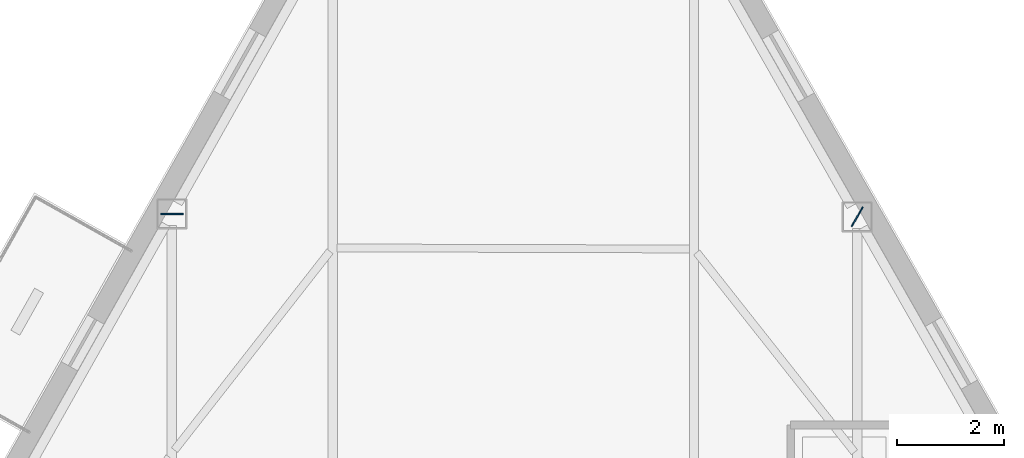
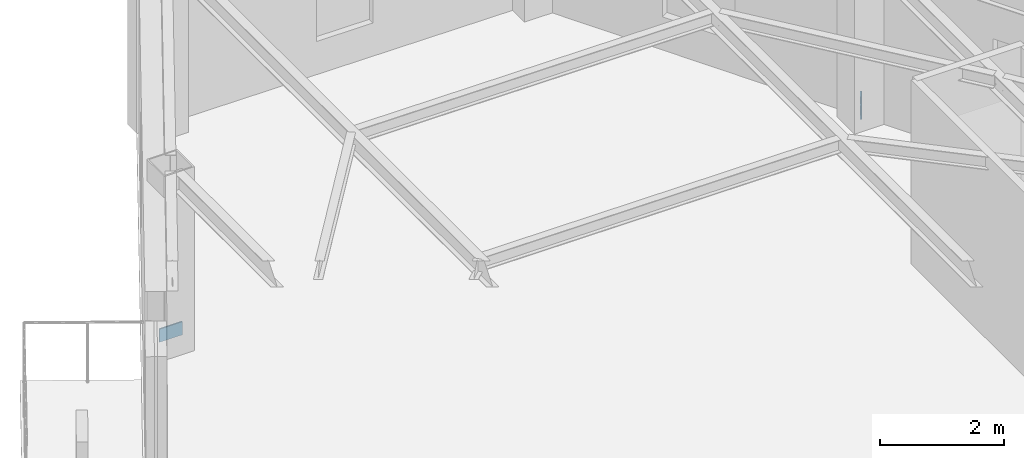
# One storey, part 6 of 10: 2 plates.
"""IFC4 building model written with IfcOpenShell, lengths in metres."""

from ifc_helpers import new_model, si_unit, direction, frame, origin, origin_2d, place, context, subcontext, project, spatial, rectangle, extrude, material, layer, layer_set, type_object, element, save


model = new_model("IFC4")

# Units and contexts
model_context = context("Model", 3, precision=1e-05, world=origin(), true_north=direction((0.0, 1.0)))
body_context = subcontext(model_context, "Body", "Model", "MODEL_VIEW")
ifc_project = project(units=[si_unit("LENGTHUNIT", "METRE"), si_unit("AREAUNIT", "SQUARE_METRE"), si_unit("VOLUMEUNIT", "CUBIC_METRE"), si_unit("PLANEANGLEUNIT", "RADIAN"), si_unit("MASSUNIT", "GRAM", prefix="KILO")], contexts=[model_context])

# Site, building, storey
site_placement = place(None, origin())
site = spatial("IfcSite", under=ifc_project, at=site_placement, CompositionType="ELEMENT")
building_placement = place(site_placement, origin())
building = spatial("IfcBuilding", under=site, at=building_placement, Name="Kavelnor Concourse Tower", CompositionType="ELEMENT")
storey_placement = place(building_placement, frame((0.0, 0.0, 239.5)))
storey = spatial("IfcBuildingStorey", under=building, at=storey_placement, Name="L60", CompositionType="ELEMENT", Elevation=239.5)

# Plates
ifc_material = material(Name="Steel Grade 350", Category="steel")
ifc_layer = layer(ifc_material, 0.02490234375, Name="Steel Grade 350")
ifc_layer_set = layer_set([ifc_layer], Name="Steel Grade 350")
plate_type = type_object("IfcPlateType", Name="PL-SPLICE-FLANGE", PredefinedType="SHEET", material=ifc_layer_set)
for number, where, z_axis, x_axis, name in (
    (1, (31.658447265625, 38.33935546875, 0.169921875), (0.0, 0.0, 1.0), (1.0, 0.0, 0.0), "L60 Column Flange Splice Plate F0-B1"),
    (2, (44.439697265625, 38.2841796875, 0.169921875), (0.0, 0.0, 1.0), (-0.5, -0.866025403784, 0.0), "L60 Column Flange Splice Plate F2-B5"),
):
    element("IfcPlate", number, at=place(storey_placement, frame(where, z_axis=z_axis, x_axis=x_axis)), inside=storey, type_object=plate_type, Name=name, PredefinedType="SHEET", context=body_context, shape_type="SweptSolid", body=[
        extrude(rectangle(XDim=0.419921875, YDim=0.02490234375, at=origin_2d()), origin(), (0.0, 0.0, 1.0), 0.260009765625),
    ])

save(model, "model.ifc")
